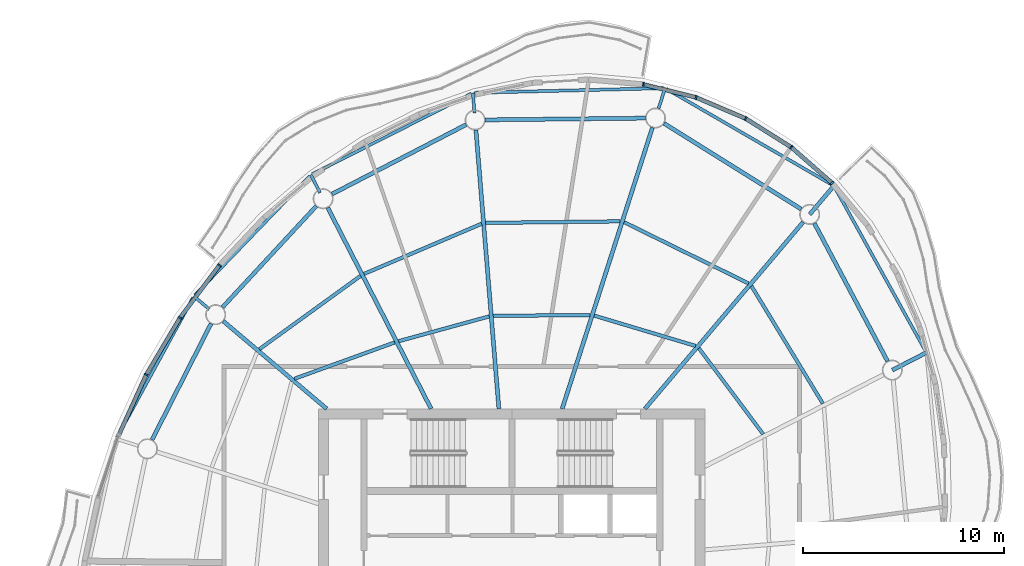
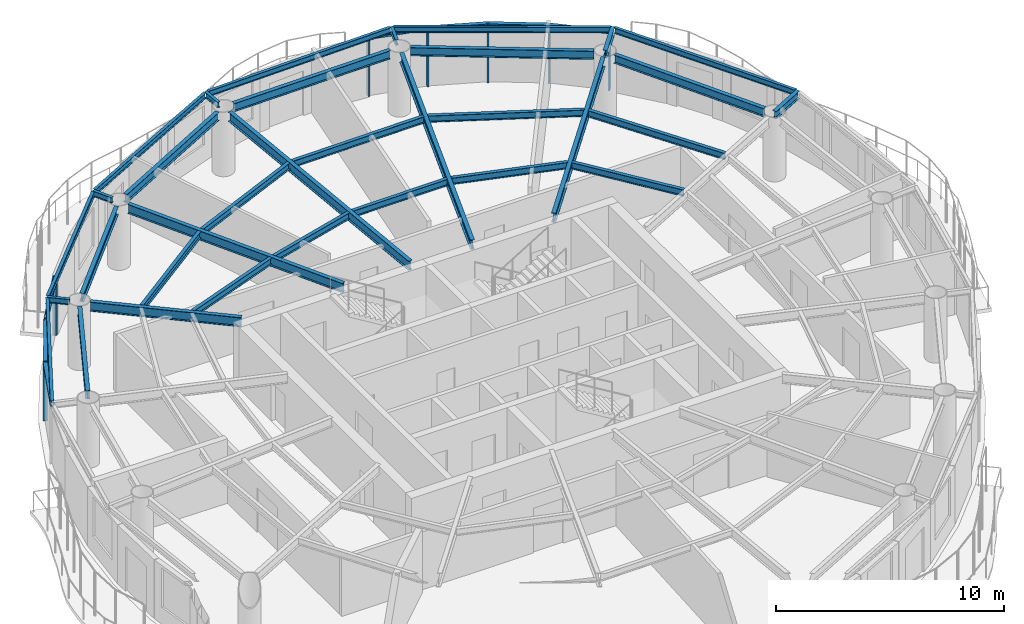
# One storey, part 5 of 13: 33 beams, 15 members, 7 elements without a shape of their own.
"""IFC4 building model written with IfcOpenShell, lengths in metres."""

from ifc_helpers import new_model, si_unit, direction, frame, origin, origin_2d, place, context, subcontext, project, spatial, rectangle, i_section, extrude, material, material_profile, profile_set, type_object, element, aggregate, save


model = new_model("IFC4")

# Units and contexts
model_context = context("Model", 3, precision=1e-05, world=origin(), true_north=direction((0.0, 1.0)))
body_context = subcontext(model_context, "Body", "Model", "MODEL_VIEW")
ifc_project = project(units=[si_unit("LENGTHUNIT", "METRE"), si_unit("AREAUNIT", "SQUARE_METRE"), si_unit("VOLUMEUNIT", "CUBIC_METRE"), si_unit("PLANEANGLEUNIT", "RADIAN"), si_unit("MASSUNIT", "GRAM", prefix="KILO")], contexts=[model_context])

# Site, building, storey
site_placement = place(None, origin())
site = spatial("IfcSite", under=ifc_project, at=site_placement, CompositionType="ELEMENT")
building_placement = place(site_placement, origin())
building = spatial("IfcBuilding", under=site, at=building_placement, Name="Vermilion Reach Broadcast Tower", CompositionType="ELEMENT")
storey_placement = place(building_placement, frame((0.0, 0.0, 282.89990234375)))
storey = spatial("IfcBuildingStorey", under=building, at=storey_placement, Name="L70", CompositionType="ELEMENT", Elevation=282.89990234375)

# Beams
ifc_material_1 = material(Name="Steel S355J2", Category="steel")
ifc_material_profile_1 = material_profile(ifc_material_1, i_section(OverallWidth=0.14990234375, OverallDepth=0.300048828125, WebThickness=0.006591796875, FlangeThickness=0.009033203125, at=origin_2d()), Name="S355J2 HN 300x150x6.5x9")
ifc_profile_set_1 = profile_set([ifc_material_profile_1], Name="Steel S355J2")
beam_type_1 = type_object("IfcBeamType", Name="EB5 HN 300x150x6.5x9", PredefinedType="BEAM", material=ifc_profile_set_1)
beam_1_placement = place(storey_placement, frame((1.535400390625, 23.7294921875, 3.300048828125), z_axis=(-0.999704417699, -0.024312079998, 0.0), x_axis=(0.024312079998, -0.999704417699, 0.0)))
element("IfcBeam", 1, at=beam_1_placement, inside=storey, type_object=beam_type_1, Name="Edge beam EB5-01", PredefinedType="BEAM", context=body_context, shape_type="SweptSolid", body=[
    extrude(i_section(OverallWidth=0.14990234375, OverallDepth=0.300048828125, WebThickness=0.006591796875, FlangeThickness=0.009033203125, at=origin_2d()), origin(), (0.0, 0.0, 1.0), 9.399169921875),
])
beam_2_placement = place(storey_placement, frame((-8.00830078125, 23.46240234375, 3.300048828125), z_axis=(-0.892141426661, -0.451756211729, 0.0), x_axis=(0.451756211729, -0.892141426661, 0.0)))
element("IfcBeam", 2, at=beam_2_placement, inside=storey, type_object=beam_type_1, Name="Edge beam EB5-02", PredefinedType="BEAM", context=body_context, shape_type="SweptSolid", body=[
    extrude(i_section(OverallWidth=0.14990234375, OverallDepth=0.300048828125, WebThickness=0.006591796875, FlangeThickness=0.009033203125, at=origin_2d()), origin(), (0.0, 0.0, 1.0), 8.8671875),
])
beam_3_placement = place(storey_placement, frame((-16.041259765625, 19.36572265625, 3.300048828125), z_axis=(-0.694205917539, -0.719776454223, 0.0), x_axis=(0.719776454223, -0.694205917539, 0.0)))
element("IfcBeam", 3, at=beam_3_placement, inside=storey, type_object=beam_type_1, Name="Edge beam EB5-03", PredefinedType="BEAM", context=body_context, shape_type="SweptSolid", body=[
    extrude(i_section(OverallWidth=0.14990234375, OverallDepth=0.300048828125, WebThickness=0.006591796875, FlangeThickness=0.009033203125, at=origin_2d()), origin(), (0.0, 0.0, 1.0), 8.220703125),
])
beam_4_placement = place(storey_placement, frame((-21.836669921875, 13.327392578125, 3.300048828125), z_axis=(-0.477790738391, -0.878473682194, 0.0), x_axis=(0.878473682194, -0.477790738391, 0.0)))
element("IfcBeam", 4, at=beam_4_placement, inside=storey, type_object=beam_type_1, Name="Edge beam EB5-04", PredefinedType="BEAM", context=body_context, shape_type="SweptSolid", body=[
    extrude(i_section(OverallWidth=0.14990234375, OverallDepth=0.300048828125, WebThickness=0.006591796875, FlangeThickness=0.009033203125, at=origin_2d()), origin(), (0.0, 0.0, 1.0), 7.91552734375),
])
beam_5_placement = place(storey_placement, frame((14.551513671875, 10.678955078125, 3.300048828125), z_axis=(-0.485030027465, 0.874497497113, 0.0), x_axis=(-0.874497497113, -0.485030027465, 0.0)))
element("IfcBeam", 5, at=beam_5_placement, inside=storey, type_object=beam_type_1, Name="Edge beam EB5-15", PredefinedType="BEAM", context=body_context, shape_type="SweptSolid", body=[
    extrude(i_section(OverallWidth=0.14990234375, OverallDepth=0.300048828125, WebThickness=0.006591796875, FlangeThickness=0.009033203125, at=origin_2d()), origin(), (0.0, 0.0, 1.0), 9.268798828125),
])
beam_6_placement = place(storey_placement, frame((9.916015625, 18.928955078125, 3.300048828125), z_axis=(-0.865591978753, 0.500749963872, 0.0), x_axis=(-0.500749963872, -0.865591978753, 0.0)))
element("IfcBeam", 6, at=beam_6_placement, inside=storey, type_object=beam_type_1, Name="Edge beam EB5-16", PredefinedType="BEAM", context=body_context, shape_type="SweptSolid", body=[
    extrude(i_section(OverallWidth=0.14990234375, OverallDepth=0.300048828125, WebThickness=0.006591796875, FlangeThickness=0.009033203125, at=origin_2d()), origin(), (0.0, 0.0, 1.0), 9.513671875),
])
ifc_material_2 = material(Name="Steel S355J2", Category="steel")
ifc_material_profile_2 = material_profile(ifc_material_2, i_section(OverallWidth=0.199951171875, OverallDepth=0.5, WebThickness=0.010009765625, FlangeThickness=0.01611328125, at=origin_2d()), Name="S355J2 HN 500x200x10x16")
ifc_profile_set_2 = profile_set([ifc_material_profile_2], Name="Steel S355J2")
beam_type_2 = type_object("IfcBeamType", Name="G5 HN 500x200x10x16", PredefinedType="BEAM", material=ifc_profile_set_2)
beam_7_placement = place(storey_placement, frame((-3.497314453125, 7.800048828125, 3.2001953125), z_axis=(0.305545401295, 0.952177508528, 0.0), x_axis=(-0.952177508528, 0.305545401295, 0.0)))
element("IfcBeam", 7, at=beam_7_placement, inside=storey, type_object=beam_type_2, Name="Girder G5-01", PredefinedType="BEAM", context=body_context, shape_type="SweptSolid", body=[
    extrude(i_section(OverallWidth=0.199951171875, OverallDepth=0.5, WebThickness=0.010009765625, FlangeThickness=0.01611328125, at=origin_2d()), origin(), (0.0, 0.0, 1.0), 14.672607421875),
])
beam_8_placement = place(storey_placement, frame((-6.642578125, 7.800048828125, 3.2001953125), z_axis=(-0.082123744247, 0.996622140347, 0.0), x_axis=(-0.996622140347, -0.082123744247, 0.0)))
element("IfcBeam", 8, at=beam_8_placement, inside=storey, type_object=beam_type_2, Name="Girder G5-02", PredefinedType="BEAM", context=body_context, shape_type="SweptSolid", body=[
    extrude(i_section(OverallWidth=0.199951171875, OverallDepth=0.5, WebThickness=0.010009765625, FlangeThickness=0.01611328125, at=origin_2d()), origin(), (0.0, 0.0, 1.0), 13.89794921875),
])
beam_9_placement = place(storey_placement, frame((-10.010498046875, 7.800048828125, 3.2001953125), z_axis=(-0.457258168112, 0.889334002327, 0.0), x_axis=(-0.889334002327, -0.457258168112, 0.0)))
element("IfcBeam", 9, at=beam_9_placement, inside=storey, type_object=beam_type_2, Name="Girder G5-03", PredefinedType="BEAM", context=body_context, shape_type="SweptSolid", body=[
    extrude(i_section(OverallWidth=0.199951171875, OverallDepth=0.5, WebThickness=0.010009765625, FlangeThickness=0.01611328125, at=origin_2d()), origin(), (0.0, 0.0, 1.0), 11.236328125),
])
beam_10_placement = place(storey_placement, frame((-15.20068359375, 7.800048828125, 3.2001953125), z_axis=(-0.762793125612, 0.646642596431, 0.0), x_axis=(-0.646642596431, -0.762793125612, 0.0)))
element("IfcBeam", 10, at=beam_10_placement, inside=storey, type_object=beam_type_2, Name="Girder G5-04", PredefinedType="BEAM", context=body_context, shape_type="SweptSolid", body=[
    extrude(i_section(OverallWidth=0.199951171875, OverallDepth=0.5, WebThickness=0.010009765625, FlangeThickness=0.01611328125, at=origin_2d()), origin(), (0.0, 0.0, 1.0), 6.732421875),
])
beam_11_placement = place(storey_placement, frame((0.612548828125, 7.800048828125, 3.2001953125), z_axis=(0.646658335602, 0.762779782766, 0.0), x_axis=(-0.762779782766, 0.646658335602, 0.0)))
element("IfcBeam", 11, at=beam_11_placement, inside=storey, type_object=beam_type_2, Name="Girder G5-16", PredefinedType="BEAM", context=body_context, shape_type="SweptSolid", body=[
    extrude(i_section(OverallWidth=0.199951171875, OverallDepth=0.5, WebThickness=0.010009765625, FlangeThickness=0.01611328125, at=origin_2d()), origin(), (0.0, 0.0, 1.0), 12.16064453125),
])
ifc_material_3 = material(Name="Steel S355J2", Category="steel")
ifc_material_profile_3 = material_profile(ifc_material_3, i_section(OverallWidth=0.199951171875, OverallDepth=0.39990234375, WebThickness=0.008056640625, FlangeThickness=0.012939453125, at=origin_2d()), Name="S355J2 HN 400x200x8x13")
ifc_profile_set_3 = profile_set([ifc_material_profile_3], Name="Steel S355J2")
beam_type_3 = type_object("IfcBeamType", Name="GC5 HN 400x200x8x13", PredefinedType="BEAM", material=ifc_profile_set_3)
beam_12_placement = place(storey_placement, frame((12.905517578125, 9.72021484375, 3.25), z_axis=(0.88932204394, 0.457281425561, 0.0), x_axis=(-0.457281425561, 0.88932204394, 0.0)))
element("IfcBeam", 12, at=beam_12_placement, inside=storey, type_object=beam_type_3, Name="Cantilever girder GC5-15", PredefinedType="BEAM", context=body_context, shape_type="SweptSolid", body=[
    extrude(i_section(OverallWidth=0.199951171875, OverallDepth=0.39990234375, WebThickness=0.008056640625, FlangeThickness=0.012939453125, at=origin_2d()), origin(), (0.0, 0.0, 1.0), 1.905517578125),
])
beam_13_placement = place(storey_placement, frame((8.799560546875, 17.457275390625, 3.25), z_axis=(0.646647118036, 0.762789292489, 0.0), x_axis=(-0.762789292489, 0.646647118036, 0.0)))
element("IfcBeam", 13, at=beam_13_placement, inside=storey, type_object=beam_type_3, Name="Cantilever girder GC5-16", PredefinedType="BEAM", context=body_context, shape_type="SweptSolid", body=[
    extrude(i_section(OverallWidth=0.199951171875, OverallDepth=0.39990234375, WebThickness=0.008056640625, FlangeThickness=0.012939453125, at=origin_2d()), origin(), (0.0, 0.0, 1.0), 1.862548828125),
])
ifc_material_4 = material(Name="Steel S355J2", Category="steel")
ifc_material_profile_4 = material_profile(ifc_material_4, i_section(OverallWidth=0.14990234375, OverallDepth=0.300048828125, WebThickness=0.006591796875, FlangeThickness=0.009033203125, at=origin_2d()), Name="S355J2 HN 300x150x6.5x9")
ifc_profile_set_4 = profile_set([ifc_material_profile_4], Name="Steel S355J2")
beam_type_4 = type_object("IfcBeamType", Name="GS5 HN 300x150x6.5x9", PredefinedType="BEAM", material=ifc_profile_set_4)
beam_14_placement = place(storey_placement, frame((1.291259765625, 22.72314453125, 3.300048828125), z_axis=(0.305486718402, 0.952196337359, 0.0), x_axis=(-0.952196337359, 0.305486718402, 0.0)))
element("IfcBeam", 14, at=beam_14_placement, inside=storey, type_object=beam_type_4, Name="Cantilever stub GS5-01", PredefinedType="BEAM", context=body_context, shape_type="SweptSolid", body=[
    extrude(i_section(OverallWidth=0.14990234375, OverallDepth=0.300048828125, WebThickness=0.006591796875, FlangeThickness=0.009033203125, at=origin_2d()), origin(), (0.0, 0.0, 1.0), 1.058837890625),
])
for number, where, z_axis, x_axis, name in (
    (15, (-7.85400390625, 22.50244140625, 3.300048828125), (-0.082035152054, 0.996629436565, 0.0), (-0.996629436565, -0.082035152054, 0.0), "Cantilever stub GS5-02"),
    (16, (-15.529052734375, 18.533447265625, 3.300048828125), (-0.457243204998, 0.889341695572, 0.0), (-0.889341695572, -0.457243204998, 0.0), "Cantilever stub GS5-03"),
    (17, (-21.037353515625, 12.748046875, 3.300048828125), (-0.762709837443, 0.64674083207, 0.0), (-0.64674083207, -0.762709837443, 0.0), "Cantilever stub GS5-04"),
):
    element("IfcBeam", number, at=place(storey_placement, frame(where, z_axis=z_axis, x_axis=x_axis)), inside=storey, type_object=beam_type_4, Name=name, PredefinedType="BEAM", context=body_context, shape_type="SweptSolid", body=[
        extrude(i_section(OverallWidth=0.14990234375, OverallDepth=0.300048828125, WebThickness=0.006591796875, FlangeThickness=0.009033203125, at=origin_2d()), origin(), (0.0, 0.0, 1.0), 1.0),
    ])
ifc_material_5 = material(Name="Steel S355J2", Category="steel")
ifc_material_profile_5 = material_profile(ifc_material_5, i_section(OverallWidth=0.199951171875, OverallDepth=0.449951171875, WebThickness=0.009033203125, FlangeThickness=0.013916015625, at=origin_2d()), Name="S355J2 HN 450x200x9x14")
ifc_profile_set_5 = profile_set([ifc_material_profile_5], Name="Steel S355J2")
beam_type_5 = type_object("IfcBeamType", Name="RB5 HN 450x200x9x14", PredefinedType="BEAM", material=ifc_profile_set_5)
beam_15_placement = place(storey_placement, frame((0.638427734375, 22.24169921875, 3.22509765625), z_axis=(-0.999940445231, -0.010913569149, 0.0), x_axis=(0.010913569149, -0.999940445231, 0.0)))
element("IfcBeam", 18, at=beam_15_placement, inside=storey, type_object=beam_type_5, Name="Ring beam RB5-01", PredefinedType="BEAM", context=body_context, shape_type="SweptSolid", body=[
    extrude(i_section(OverallWidth=0.199951171875, OverallDepth=0.449951171875, WebThickness=0.009033203125, FlangeThickness=0.013916015625, at=origin_2d()), origin(), (0.0, 0.0, 1.0), 7.9638671875),
])
beam_16_placement = place(storey_placement, frame((-8.268798828125, 21.91943359375, 3.22509765625), z_axis=(-0.887960248279, -0.459920207729, 0.0), x_axis=(0.459920207729, -0.887960248279, 0.0)))
element("IfcBeam", 19, at=beam_16_placement, inside=storey, type_object=beam_type_5, Name="Ring beam RB5-02", PredefinedType="BEAM", context=body_context, shape_type="SweptSolid", body=[
    extrude(i_section(OverallWidth=0.199951171875, OverallDepth=0.449951171875, WebThickness=0.009033203125, FlangeThickness=0.013916015625, at=origin_2d()), origin(), (0.0, 0.0, 1.0), 7.5048828125),
])
beam_17_placement = place(storey_placement, frame((-15.716796875, 17.87109375, 3.22509765625), z_axis=(-0.679837550075, -0.733362738014, 0.0), x_axis=(0.733362738014, -0.679837550075, 0.0)))
element("IfcBeam", 20, at=beam_17_placement, inside=storey, type_object=beam_type_5, Name="Ring beam RB5-03", PredefinedType="BEAM", context=body_context, shape_type="SweptSolid", body=[
    extrude(i_section(OverallWidth=0.199951171875, OverallDepth=0.449951171875, WebThickness=0.009033203125, FlangeThickness=0.013916015625, at=origin_2d()), origin(), (0.0, 0.0, 1.0), 6.85546875),
])
beam_18_placement = place(storey_placement, frame((-20.944091796875, 12.03125, 3.22509765625), z_axis=(-0.453052302855, -0.891483937532, 0.0), x_axis=(0.891483937532, -0.453052302855, 0.0)))
element("IfcBeam", 21, at=beam_18_placement, inside=storey, type_object=beam_type_5, Name="Ring beam RB5-04", PredefinedType="BEAM", context=body_context, shape_type="SweptSolid", body=[
    extrude(i_section(OverallWidth=0.199951171875, OverallDepth=0.449951171875, WebThickness=0.009033203125, FlangeThickness=0.013916015625, at=origin_2d()), origin(), (0.0, 0.0, 1.0), 6.47900390625),
])
beam_19_placement = place(storey_placement, frame((12.671142578125, 10.161865234375, 3.22509765625), z_axis=(-0.468767917375, 0.883321368269, 0.0), x_axis=(-0.883321368269, -0.468767917375, 0.0)))
element("IfcBeam", 22, at=beam_19_placement, inside=storey, type_object=beam_type_5, Name="Ring beam RB5-15", PredefinedType="BEAM", context=body_context, shape_type="SweptSolid", body=[
    extrude(i_section(OverallWidth=0.199951171875, OverallDepth=0.449951171875, WebThickness=0.009033203125, FlangeThickness=0.013916015625, at=origin_2d()), origin(), (0.0, 0.0, 1.0), 7.759033203125),
])
beam_20_placement = place(storey_placement, frame((8.375732421875, 17.722412109375, 3.22509765625), z_axis=(-0.847914653245, 0.530132757724, 0.0), x_axis=(-0.530132757724, -0.847914653245, 0.0)))
element("IfcBeam", 23, at=beam_20_placement, inside=storey, type_object=beam_type_5, Name="Ring beam RB5-16", PredefinedType="BEAM", context=body_context, shape_type="SweptSolid", body=[
    extrude(i_section(OverallWidth=0.199951171875, OverallDepth=0.449951171875, WebThickness=0.009033203125, FlangeThickness=0.013916015625, at=origin_2d()), origin(), (0.0, 0.0, 1.0), 8.035400390625),
])
ifc_material_6 = material(Name="Steel S355J2", Category="steel")
ifc_material_profile_6 = material_profile(ifc_material_6, i_section(OverallWidth=0.175048828125, OverallDepth=0.35009765625, WebThickness=0.007080078125, FlangeThickness=0.010986328125, at=origin_2d()), Name="S355J2 HN 350x175x7x11")
ifc_profile_set_6 = profile_set([ifc_material_profile_6], Name="Steel S355J2")
beam_type_6 = type_object("IfcBeamType", Name="SB5 HN 350x175x7x11", PredefinedType="BEAM", material=ifc_profile_set_6)
beam_21_placement = place(storey_placement, frame((-2.108154296875, 12.4560546875, 3.275146484375), z_axis=(-0.999968312294, -0.007960804474, 0.0), x_axis=(0.007960804474, -0.999968312294, 0.0)))
element("IfcBeam", 24, at=beam_21_placement, inside=storey, type_object=beam_type_6, Name="Secondary beam SB5-01-1", PredefinedType="BEAM", context=body_context, shape_type="SweptSolid", body=[
    extrude(i_section(OverallWidth=0.175048828125, OverallDepth=0.35009765625, WebThickness=0.007080078125, FlangeThickness=0.010986328125, at=origin_2d()), origin(), (0.0, 0.0, 1.0), 4.81494140625),
])
beam_22_placement = place(storey_placement, frame((-0.614013671875, 17.11279296875, 3.275146484375), z_axis=(-0.999932654133, -0.011605481368, 0.0), x_axis=(0.011605481368, -0.999932654133, 0.0)))
element("IfcBeam", 25, at=beam_22_placement, inside=storey, type_object=beam_type_6, Name="Secondary beam SB5-01-2", PredefinedType="BEAM", context=body_context, shape_type="SweptSolid", body=[
    extrude(i_section(OverallWidth=0.175048828125, OverallDepth=0.35009765625, WebThickness=0.007080078125, FlangeThickness=0.010986328125, at=origin_2d()), origin(), (0.0, 0.0, 1.0), 6.689697265625),
])
beam_23_placement = place(storey_placement, frame((-7.12109375, 12.39013671875, 3.275146484375), z_axis=(-0.964547496851, -0.263909314573, 0.0), x_axis=(0.263909314573, -0.964547496851, 0.0)))
element("IfcBeam", 26, at=beam_23_placement, inside=storey, type_object=beam_type_6, Name="Secondary beam SB5-02-1", PredefinedType="BEAM", context=body_context, shape_type="SweptSolid", body=[
    extrude(i_section(OverallWidth=0.175048828125, OverallDepth=0.35009765625, WebThickness=0.007080078125, FlangeThickness=0.010986328125, at=origin_2d()), origin(), (0.0, 0.0, 1.0), 4.6689453125),
])
beam_24_placement = place(storey_placement, frame((-7.50048828125, 16.99267578125, 3.275146484375), z_axis=(-0.919880986172, -0.392197617637, 0.0), x_axis=(0.392197617637, -0.919880986172, 0.0)))
element("IfcBeam", 27, at=beam_24_placement, inside=storey, type_object=beam_type_6, Name="Secondary beam SB5-02-2", PredefinedType="BEAM", context=body_context, shape_type="SweptSolid", body=[
    extrude(i_section(OverallWidth=0.175048828125, OverallDepth=0.35009765625, WebThickness=0.007080078125, FlangeThickness=0.010986328125, at=origin_2d()), origin(), (0.0, 0.0, 1.0), 6.351806640625),
])
beam_25_placement = place(storey_placement, frame((-11.81787109375, 11.0966796875, 3.275146484375), z_axis=(-0.940220108875, -0.340567389613, 0.0), x_axis=(0.340567389613, -0.940220108875, 0.0)))
element("IfcBeam", 28, at=beam_25_placement, inside=storey, type_object=beam_type_6, Name="Secondary beam SB5-03-1", PredefinedType="BEAM", context=body_context, shape_type="SweptSolid", body=[
    extrude(i_section(OverallWidth=0.175048828125, OverallDepth=0.35009765625, WebThickness=0.007080078125, FlangeThickness=0.010986328125, at=origin_2d()), origin(), (0.0, 0.0, 1.0), 5.303466796875),
])
beam_26_placement = place(storey_placement, frame((-13.517578125, 14.402587890625, 3.275146484375), z_axis=(-0.809771251518, -0.586745703192, 0.0), x_axis=(0.586745703192, -0.809771251518, 0.0)))
element("IfcBeam", 29, at=beam_26_placement, inside=storey, type_object=beam_type_6, Name="Secondary beam SB5-03-2", PredefinedType="BEAM", context=body_context, shape_type="SweptSolid", body=[
    extrude(i_section(OverallWidth=0.175048828125, OverallDepth=0.35009765625, WebThickness=0.007080078125, FlangeThickness=0.010986328125, at=origin_2d()), origin(), (0.0, 0.0, 1.0), 6.20361328125),
])
beam_27_placement = place(storey_placement, frame((6.492919921875, 6.53564453125, 3.275146484375), z_axis=(-0.599055582645, 0.800707442767, 0.0), x_axis=(-0.800707442767, -0.599055582645, 0.0)))
element("IfcBeam", 30, at=beam_27_placement, inside=storey, type_object=beam_type_6, Name="Secondary beam SB5-15-1", PredefinedType="BEAM", context=body_context, shape_type="SweptSolid", body=[
    extrude(i_section(OverallWidth=0.175048828125, OverallDepth=0.35009765625, WebThickness=0.007080078125, FlangeThickness=0.010986328125, at=origin_2d()), origin(), (0.0, 0.0, 1.0), 5.337890625),
])
beam_28_placement = place(storey_placement, frame((9.455078125, 8.058837890625, 3.275146484375), z_axis=(-0.519272962556, 0.854608442714, 0.0), x_axis=(-0.854608442714, -0.519272962556, 0.0)))
element("IfcBeam", 31, at=beam_28_placement, inside=storey, type_object=beam_type_6, Name="Secondary beam SB5-15-2", PredefinedType="BEAM", context=body_context, shape_type="SweptSolid", body=[
    extrude(i_section(OverallWidth=0.175048828125, OverallDepth=0.35009765625, WebThickness=0.007080078125, FlangeThickness=0.010986328125, at=origin_2d()), origin(), (0.0, 0.0, 1.0), 6.82763671875),
])
beam_29_placement = place(storey_placement, frame((3.129150390625, 10.92333984375, 3.275146484375), z_axis=(-0.958124906971, 0.286350593925, 0.0), x_axis=(-0.286350593925, -0.958124906971, 0.0)))
element("IfcBeam", 32, at=beam_29_placement, inside=storey, type_object=beam_type_6, Name="Secondary beam SB5-16-1", PredefinedType="BEAM", context=body_context, shape_type="SweptSolid", body=[
    extrude(i_section(OverallWidth=0.175048828125, OverallDepth=0.35009765625, WebThickness=0.007080078125, FlangeThickness=0.010986328125, at=origin_2d()), origin(), (0.0, 0.0, 1.0), 5.25634765625),
])
beam_30_placement = place(storey_placement, frame((5.762451171875, 14.029541015625, 3.275146484375), z_axis=(-0.897335928087, 0.441348198325, 0.0), x_axis=(-0.441348198325, -0.897335928087, 0.0)))
element("IfcBeam", 33, at=beam_30_placement, inside=storey, type_object=beam_type_6, Name="Secondary beam SB5-16-2", PredefinedType="BEAM", context=body_context, shape_type="SweptSolid", body=[
    extrude(i_section(OverallWidth=0.175048828125, OverallDepth=0.35009765625, WebThickness=0.007080078125, FlangeThickness=0.010986328125, at=origin_2d()), origin(), (0.0, 0.0, 1.0), 6.887451171875),
])

# Curtain wall, member
ifc_material_7 = material(Name="Low-e laminated clear glass in aluminium frame", Category="aluminium")
curtain_wall_type = type_object("IfcCurtainWallType", Name="Slot curtain wall", PredefinedType="NOTDEFINED", material=ifc_material_7)
placement = place(storey_placement, origin())
curtain_wall_1 = element("IfcCurtainWall", 34, at=placement, inside=storey, type_object=curtain_wall_type, Name="Slot curtain wall L70 46", PredefinedType="NOTDEFINED")
ifc_material_8 = material(Name="Anodised aluminium", Category="aluminium")
ifc_material_profile_7 = material_profile(ifc_material_8, rectangle(XDim=0.199951171875, YDim=0.080078125, at=origin_2d()), Name="Slot mullion 80 x 200")
ifc_profile_set_7 = profile_set([ifc_material_profile_7], Name="Anodised aluminium")
member_type_1 = type_object("IfcMemberType", Name="Slot mullion 80 x 200", PredefinedType="MULLION", material=ifc_profile_set_7)
member_1_placement = place(storey_placement, frame((9.910400390625, 19.0185546875, 0.0), z_axis=(0.0, 0.0, 1.0), x_axis=(-0.715369626515, -0.698746232519, 0.0)))
member_1 = element("IfcMember", 35, at=member_1_placement, type_object=member_type_1, Name="Slot mullion L70 46", PredefinedType="MULLION", context=body_context, shape_type="SweptSolid", body=[
    extrude(rectangle(XDim=0.199951171875, YDim=0.080078125, at=origin_2d()), origin(), (0.0, 0.0, 1.0), 3.150146484375),
])

curtain_wall_2 = element("IfcCurtainWall", 36, at=placement, inside=storey, type_object=curtain_wall_type, Name="Slot curtain wall L70 47", PredefinedType="NOTDEFINED")
member_2_placement = place(storey_placement, frame((7.881591796875, 20.797607421875, 0.0), z_axis=(0.0, 0.0, 1.0), x_axis=(-0.597749943963, -0.801682608326, 0.0)))
member_2 = element("IfcMember", 37, at=member_2_placement, type_object=member_type_1, Name="Slot mullion L70 47", PredefinedType="MULLION", context=body_context, shape_type="SweptSolid", body=[
    extrude(rectangle(XDim=0.199951171875, YDim=0.080078125, at=origin_2d()), origin(), (0.0, 0.0, 1.0), 3.150146484375),
])

curtain_wall_3 = element("IfcCurtainWall", 38, at=placement, inside=storey, type_object=curtain_wall_type, Name="Slot curtain wall L70 00", PredefinedType="NOTDEFINED")
member_3_placement = place(storey_placement, frame((5.617431640625, 22.221923828125, 0.0), z_axis=(0.0, 0.0, 1.0), x_axis=(-0.46329604191, -0.886203575681, 0.0)))
member_3 = element("IfcMember", 39, at=member_3_placement, type_object=member_type_1, Name="Slot mullion L70 00", PredefinedType="MULLION", context=body_context, shape_type="SweptSolid", body=[
    extrude(rectangle(XDim=0.199951171875, YDim=0.080078125, at=origin_2d()), origin(), (0.0, 0.0, 1.0), 3.150146484375),
])

# Curtain wall, members
curtain_wall_4 = element("IfcCurtainWall", 40, at=placement, inside=storey, type_object=curtain_wall_type, Name="Slot curtain wall L70 01", PredefinedType="NOTDEFINED")
member_4_placement = place(storey_placement, frame((3.155517578125, 23.268310546875, 0.0), z_axis=(0.0, 0.0, 1.0), x_axis=(-0.317157061066, -0.948373027145, 0.0)))
member_4 = element("IfcMember", 41, at=member_4_placement, type_object=member_type_1, Name="Slot mullion L70 01", PredefinedType="MULLION", context=body_context, shape_type="SweptSolid", body=[
    extrude(rectangle(XDim=0.199951171875, YDim=0.080078125, at=origin_2d()), origin(), (0.0, 0.0, 1.0), 3.150146484375),
])
member_5_placement = place(storey_placement, frame((0.536865234375, 23.9189453125, 0.0), z_axis=(0.0, 0.0, 1.0), x_axis=(-0.16550378976, -0.986209154072, 0.0)))
member_5 = element("IfcMember", 42, at=member_5_placement, type_object=member_type_1, Name="Slot mullion L70 02", PredefinedType="MULLION", context=body_context, shape_type="SweptSolid", body=[
    extrude(rectangle(XDim=0.199951171875, YDim=0.080078125, at=origin_2d()), origin(), (0.0, 0.0, 1.0), 3.150146484375),
])

# Curtain wall, member
curtain_wall_5 = element("IfcCurtainWall", 43, at=placement, inside=storey, type_object=curtain_wall_type, Name="Slot curtain wall L70 10", PredefinedType="NOTDEFINED")
member_6_placement = place(storey_placement, frame((-20.52685546875, 14.932861328125, 0.0), z_axis=(0.0, 0.0, 1.0), x_axis=(0.766033468222, -0.642800688833, 0.0)))
member_6 = element("IfcMember", 44, at=member_6_placement, type_object=member_type_1, Name="Slot mullion L70 10", PredefinedType="MULLION", context=body_context, shape_type="SweptSolid", body=[
    extrude(rectangle(XDim=0.199951171875, YDim=0.080078125, at=origin_2d()), origin(), (0.0, 0.0, 1.0), 3.150146484375),
])

curtain_wall_6 = element("IfcCurtainWall", 45, at=placement, inside=storey, type_object=curtain_wall_type, Name="Slot curtain wall L70 11", PredefinedType="NOTDEFINED")
member_7_placement = place(storey_placement, frame((-22.48583984375, 12.31982421875, 0.0), z_axis=(0.0, 0.0, 1.0), x_axis=(0.831315158683, -0.555801319668, 0.0)))
member_7 = element("IfcMember", 46, at=member_7_placement, type_object=member_type_1, Name="Slot mullion L70 11", PredefinedType="MULLION", context=body_context, shape_type="SweptSolid", body=[
    extrude(rectangle(XDim=0.199951171875, YDim=0.080078125, at=origin_2d()), origin(), (0.0, 0.0, 1.0), 3.150146484375),
])

curtain_wall_7 = element("IfcCurtainWall", 47, at=placement, inside=storey, type_object=curtain_wall_type, Name="Slot curtain wall L70 12", PredefinedType="NOTDEFINED")
member_8_placement = place(storey_placement, frame((-24.16162109375, 9.49462890625, 0.0), z_axis=(0.0, 0.0, 1.0), x_axis=(0.886203537289, -0.463296115348, 0.0)))
member_8 = element("IfcMember", 48, at=member_8_placement, type_object=member_type_1, Name="Slot mullion L70 12", PredefinedType="MULLION", context=body_context, shape_type="SweptSolid", body=[
    extrude(rectangle(XDim=0.199951171875, YDim=0.080078125, at=origin_2d()), origin(), (0.0, 0.0, 1.0), 3.150146484375),
])

# Member
ifc_material_9 = material(Name="Anodised aluminium", Category="aluminium")
ifc_material_profile_8 = material_profile(ifc_material_9, rectangle(XDim=0.199951171875, YDim=0.10009765625, at=origin_2d()), Name="Slot transom 200 x 100")
ifc_profile_set_8 = profile_set([ifc_material_profile_8], Name="Anodised aluminium")
member_type_2 = type_object("IfcMemberType", Name="Slot transom 200 x 100", PredefinedType="USERDEFINED", material=ifc_profile_set_8)
member_9_placement = place(storey_placement, frame((9.88037109375, 19.044921875, 3.10009765625), z_axis=(-0.751883170191, 0.659296366124, 0.0), x_axis=(-0.659296366124, -0.751883170191, 0.0)))
member_9 = element("IfcMember", 49, at=member_9_placement, type_object=member_type_2, Name="Slot transom L70 46.1", ObjectType="TRANSOM", PredefinedType="USERDEFINED", context=body_context, shape_type="SweptSolid", body=[
    extrude(rectangle(XDim=0.199951171875, YDim=0.10009765625, at=origin_2d()), origin(), (0.0, 0.0, 1.0), 2.618408203125),
])

aggregate(curtain_wall_1, [member_1, member_9])

member_10_placement = place(storey_placement, frame((7.84765625, 20.81884765625, 3.10009765625), z_axis=(-0.846435447708, 0.532491345341, 0.0), x_axis=(-0.532491345341, -0.846435447708, 0.0)))
member_10 = element("IfcMember", 50, at=member_10_placement, type_object=member_type_2, Name="Slot transom L70 47.1", ObjectType="TRANSOM", PredefinedType="USERDEFINED", context=body_context, shape_type="SweptSolid", body=[
    extrude(rectangle(XDim=0.199951171875, YDim=0.10009765625, at=origin_2d()), origin(), (0.0, 0.0, 1.0), 2.594970703125),
])

aggregate(curtain_wall_2, [member_2, member_10])

member_11_placement = place(storey_placement, frame((5.58056640625, 22.237548828125, 3.10009765625), z_axis=(-0.92032329876, 0.391158568562, 0.0), x_axis=(-0.391158568562, -0.92032329876, 0.0)))
member_11 = element("IfcMember", 51, at=member_11_placement, type_object=member_type_2, Name="Slot transom L70 00.1", ObjectType="TRANSOM", PredefinedType="USERDEFINED", context=body_context, shape_type="SweptSolid", body=[
    extrude(rectangle(XDim=0.199951171875, YDim=0.10009765625, at=origin_2d()), origin(), (0.0, 0.0, 1.0), 2.59521484375),
])

aggregate(curtain_wall_3, [member_3, member_11])

member_12_placement = place(storey_placement, frame((3.11669921875, 23.27783203125, 3.10009765625), z_axis=(-0.970470699179, 0.241219033318, 0.0), x_axis=(-0.241219033318, -0.970470699179, 0.0)))
member_12 = element("IfcMember", 52, at=member_12_placement, type_object=member_type_2, Name="Slot transom L70 01.1", ObjectType="TRANSOM", PredefinedType="USERDEFINED", context=body_context, shape_type="SweptSolid", body=[
    extrude(rectangle(XDim=0.199951171875, YDim=0.10009765625, at=origin_2d()), origin(), (0.0, 0.0, 1.0), 2.618408203125),
])

aggregate(curtain_wall_4, [member_4, member_5, member_12])

member_13_placement = place(storey_placement, frame((-20.551025390625, 14.90087890625, 3.10009765625), z_axis=(-0.599816062009, -0.800137920459, 0.0), x_axis=(0.800137920459, -0.599816062009, 0.0)))
member_13 = element("IfcMember", 53, at=member_13_placement, type_object=member_type_2, Name="Slot transom L70 10.1", ObjectType="TRANSOM", PredefinedType="USERDEFINED", context=body_context, shape_type="SweptSolid", body=[
    extrude(rectangle(XDim=0.199951171875, YDim=0.10009765625, at=origin_2d()), origin(), (0.0, 0.0, 1.0), 3.185791015625),
])

aggregate(curtain_wall_5, [member_6, member_13])

member_14_placement = place(storey_placement, frame((-22.50634765625, 12.285400390625, 3.10009765625), z_axis=(-0.510119770884, -0.860103377132, 0.0), x_axis=(0.860103377132, -0.510119770884, 0.0)))
member_14 = element("IfcMember", 54, at=member_14_placement, type_object=member_type_2, Name="Slot transom L70 11.1", ObjectType="TRANSOM", PredefinedType="USERDEFINED", context=body_context, shape_type="SweptSolid", body=[
    extrude(rectangle(XDim=0.199951171875, YDim=0.10009765625, at=origin_2d()), origin(), (0.0, 0.0, 1.0), 3.20458984375),
])

aggregate(curtain_wall_6, [member_7, member_14])

member_15_placement = place(storey_placement, frame((-24.17822265625, 9.458251953125, 3.10009765625), z_axis=(-0.415116917186, -0.909768072129, 0.0), x_axis=(0.909768072129, -0.415116917186, 0.0)))
member_15 = element("IfcMember", 55, at=member_15_placement, type_object=member_type_2, Name="Slot transom L70 12.1", ObjectType="TRANSOM", PredefinedType="USERDEFINED", context=body_context, shape_type="SweptSolid", body=[
    extrude(rectangle(XDim=0.199951171875, YDim=0.10009765625, at=origin_2d()), origin(), (0.0, 0.0, 1.0), 3.20458984375),
])

aggregate(curtain_wall_7, [member_8, member_15])

save(model, "model.ifc")
